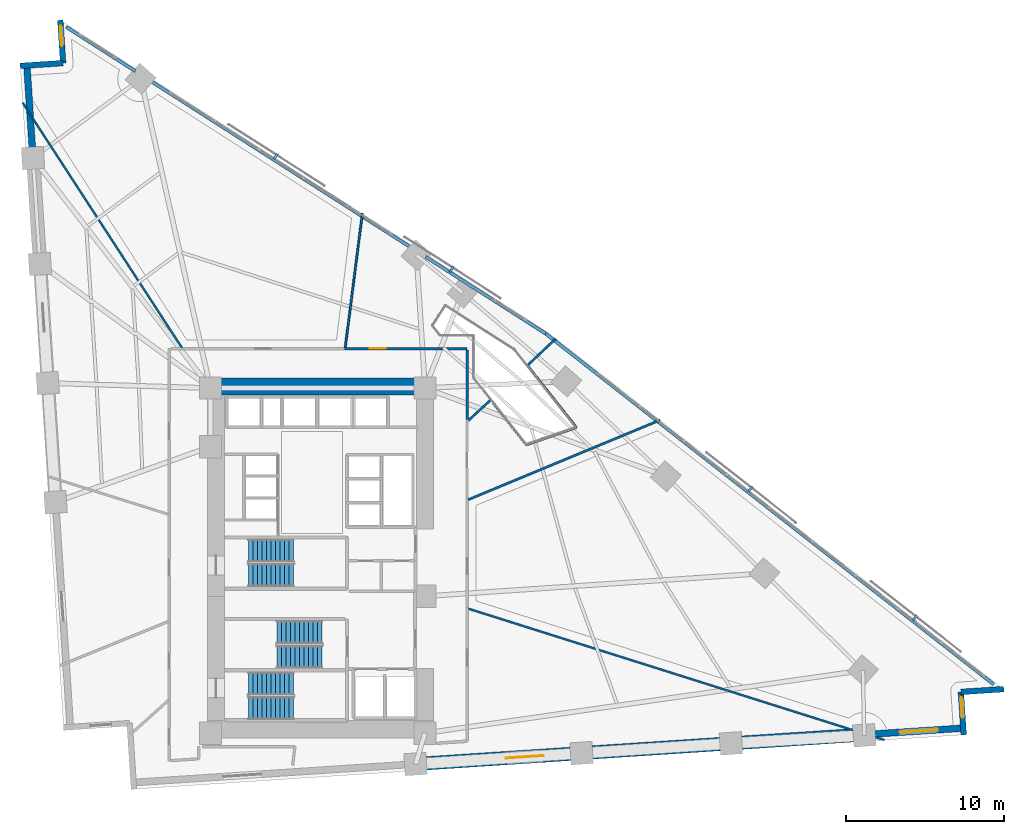
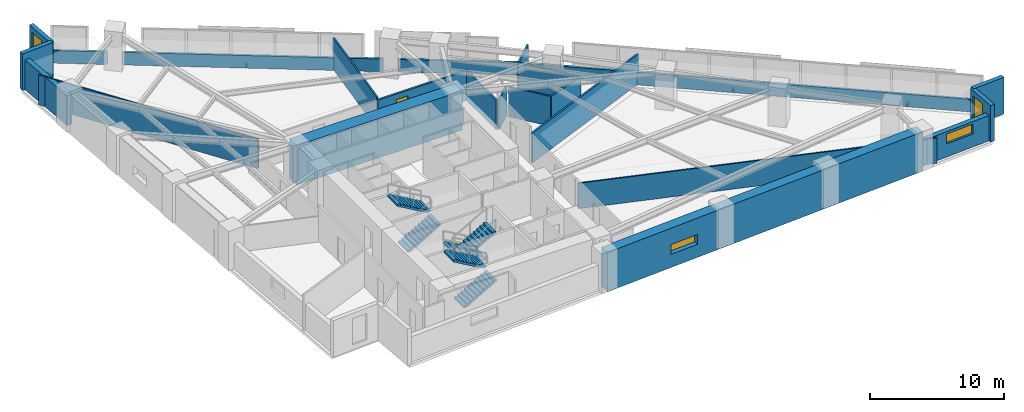
# One storey, part 14 of 16: 23 walls, 6 stair flights, 4 discrete accessories, 4 windows, 1 door, 5 openings, 3 elements without a shape of their own.
"""IFC4 building model written with IfcOpenShell, lengths in metres."""

from ifc_helpers import new_model, si_unit, direction, frame, frame_2d, origin, origin_2d, place, context, subcontext, project, spatial, polyline, rectangle, outline, extrude, material, layer, layer_set, type_object, element, fill, aggregate, save


model = new_model("IFC4")

# Units and contexts
model_context = context("Model", 3, precision=1e-05, world=origin(), true_north=direction((0.0, 1.0)))
body_context = subcontext(model_context, "Body", "Model", "MODEL_VIEW")
ifc_project = project(units=[si_unit("LENGTHUNIT", "METRE"), si_unit("AREAUNIT", "SQUARE_METRE"), si_unit("VOLUMEUNIT", "CUBIC_METRE"), si_unit("PLANEANGLEUNIT", "RADIAN"), si_unit("MASSUNIT", "GRAM", prefix="KILO")], contexts=[model_context])

# Site, building, storey
site_placement = place(None, origin())
site = spatial("IfcSite", under=ifc_project, at=site_placement, CompositionType="ELEMENT")
building_placement = place(site_placement, origin())
building = spatial("IfcBuilding", under=site, at=building_placement, Name="Narakoshi Arena Tower", CompositionType="ELEMENT")
storey_placement = place(building_placement, frame((0.0, 0.0, 77.699951171875)))
storey = spatial("IfcBuildingStorey", under=building, at=storey_placement, Name="L20", CompositionType="ELEMENT", Elevation=77.699951171875)

# Wall
ifc_material_1 = material(Name="Concrete C60/75", Category="concrete")
ifc_layer_1 = layer(ifc_material_1, 1.10009765625)
ifc_layer_set_1 = layer_set([ifc_layer_1], Name="Concrete C60/75")
wall_type_1 = type_object("IfcWallType", Name="WL-CORE-1100", PredefinedType="SHEAR", material=ifc_layer_set_1)
wall_1_placement = place(storey_placement, frame((71.800048828125, 56.60009765625, -0.260009765625), z_axis=(0.0, 0.0, 1.0), x_axis=(1.0, 0.0, 0.0)))
element("IfcWall", 1, at=wall_1_placement, inside=storey, type_object=wall_type_1, Name="L20 Main Core Shear Wall CW-MN-N", PredefinedType="SHEAR", context=body_context, shape_type="SweptSolid", body=[
    extrude(rectangle(XDim=14.300048828125, YDim=1.10009765625, at=frame_2d((7.14990234375, 0.0))), origin(), (0.0, 0.0, 1.0), 3.60009765625),
])

# Wall, opening, door
ifc_material_2 = material(Name="Gypsum plasterboard fire-rated partition")
ifc_layer_2 = layer(ifc_material_2, 0.1650390625)
ifc_layer_set_2 = layer_set([ifc_layer_2], Name="Gypsum plasterboard fire-rated partition")
wall_type_2 = type_object("IfcWallType", Name="WL-CORR-165", PredefinedType="PARTITIONING", material=ifc_layer_set_2)
wall_2_placement = place(storey_placement, frame((88.20947265625, 58.99755859375, 0.0), z_axis=(0.0, 0.0, 1.0), x_axis=(-1.0, 0.0, 0.0)))
wall_2 = element("IfcWall", 2, at=wall_2_placement, inside=storey, type_object=wall_type_2, Name="L20 Corridor Partition 07-1", PredefinedType="PARTITIONING", context=body_context, shape_type="SweptSolid", body=[
    extrude(rectangle(XDim=7.740478515625, YDim=0.1650390625, at=frame_2d((3.8701171875, 0.0))), origin(), (0.0, 0.0, 1.0), 2.72509765625),
])
opening_1_placement = place(wall_2_placement, frame((5.1455078125, 0.0, 0.0)))
opening_1 = element("IfcOpeningElement", 3, at=opening_1_placement, cuts=wall_2, Name="Opening D-06", PredefinedType="OPENING", context=body_context, shape_type="SweptSolid", body=[
    extrude(rectangle(XDim=1.0, YDim=2.199951171875, at=frame_2d((0.5, 1.10009765625))), frame((0.0, 0.092529296875, 0.0), z_axis=(0.0, -1.0, 0.0), x_axis=(1.0, 0.0, 0.0)), (0.0, 0.0, 1.0), 0.18505859375),
])
ifc_material_3 = material(Name="Stained oak solid-core timber", Category="wood")
door_type = type_object("IfcDoorType", Name="DR-OFF-1000", OperationType="NOTDEFINED", PredefinedType="DOOR", material=ifc_material_3)
door_placement = place(opening_1_placement, frame((1.0, 0.0, 0.0), z_axis=(0.0, 0.0, 1.0), x_axis=(-1.0, 0.0, 0.0)))
door = element("IfcDoor", 4, at=door_placement, inside=storey, type_object=door_type, Name="DR-L20-020", OperationType="SINGLE_SWING_RIGHT", OverallHeight=2.199951171875, OverallWidth=1.0, PredefinedType="DOOR", context=body_context, shape_type="SweptSolid", body=[
    extrude(rectangle(XDim=1.0, YDim=2.199951171875, at=frame_2d((0.5, 1.10009765625))), frame((0.0, 0.02490234375, 0.0), z_axis=(0.0, -1.0, 0.0), x_axis=(1.0, 0.0, 0.0)), (0.0, 0.0, 1.0), 0.050048828125),
])
fill(opening_1, door)

# Wall
wall_3_placement = place(storey_placement, frame((88.20947265625, 54.52001953125, 0.0), z_axis=(0.0, 0.0, 1.0), x_axis=(0.0, 1.0, 0.0)))
element("IfcWall", 5, at=wall_3_placement, inside=storey, type_object=wall_type_2, Name="L20 Corridor Partition 07-2", PredefinedType="PARTITIONING", context=body_context, shape_type="SweptSolid", body=[
    extrude(rectangle(XDim=4.383056640625, YDim=0.1650390625, at=frame_2d((2.19140625, 0.0))), origin(), (0.0, 0.0, 1.0), 2.72509765625),
])

# Wall, opening, window
ifc_layer_3 = layer(ifc_material_1, 0.85009765625)
ifc_layer_set_3 = layer_set([ifc_layer_3], Name="Concrete C60/75")
wall_type_3 = type_object("IfcWallType", Name="WL-LEG-850", PredefinedType="SHEAR", material=ifc_layer_set_3)
wall_4_placement = place(storey_placement, frame((84.95703125, 32.7509765625, -0.260009765625), z_axis=(0.0, 0.0, 1.0), x_axis=(0.997859046449, 0.065401249368, 0.0)))
wall_4 = element("IfcWall", 6, at=wall_4_placement, inside=storey, type_object=wall_type_3, Name="L20 Architectural Concrete Structural Wall LEGA-2", PredefinedType="SHEAR", context=body_context, shape_type="SweptSolid", body=[
    extrude(rectangle(XDim=28.400390625, YDim=0.85009765625, at=frame_2d((14.2001953125, 0.0))), origin(), (0.0, 0.0, 1.0), 3.60009765625),
])
opening_2_placement = place(wall_4_placement, frame((5.699951171875, 0.0, 1.199951171875)))
opening_2 = element("IfcOpeningElement", 7, at=opening_2_placement, cuts=wall_4, Name="Opening WN-01", PredefinedType="OPENING", context=body_context, shape_type="SweptSolid", body=[
    extrude(rectangle(XDim=2.39990234375, YDim=0.89990234375, at=frame_2d((1.199951171875, 0.449951171875))), frame((0.0, 0.43505859375, 0.0), z_axis=(0.0, -1.0, 0.0), x_axis=(1.0, 0.0, 0.0)), (0.0, 0.0, 1.0), 0.8701171875),
])
ifc_material_4 = material(Name="Bronze-tinted low-E laminated glass", Category="glass")
window_type_1 = type_object("IfcWindowType", Name="WIN-SLT-24x09", PartitioningType="SINGLE_PANEL", PredefinedType="WINDOW", material=ifc_material_4)
window_1_placement = place(opening_2_placement, origin())
window_1 = element("IfcWindow", 8, at=window_1_placement, inside=storey, type_object=window_type_1, Name="L20 LEGA2 Horizontal Slot Window 1", OverallHeight=0.89990234375, OverallWidth=2.39990234375, PartitioningType="SINGLE_PANEL", PredefinedType="WINDOW", context=body_context, shape_type="SweptSolid", body=[
    extrude(rectangle(XDim=2.39990234375, YDim=0.89990234375, at=frame_2d((1.199951171875, 0.449951171875))), frame((0.0, 0.030029296875, 0.0), z_axis=(0.0, -1.0, 0.0), x_axis=(1.0, 0.0, 0.0)), (0.0, 0.0, 1.0), 0.06005859375),
])
fill(opening_2, window_1)

# Walls
ifc_material_5 = material(Name="Precast concrete C45/55", Category="concrete")
ifc_layer_4 = layer(ifc_material_5, 0.25)
ifc_layer_set_4 = layer_set([ifc_layer_4], Name="Precast concrete C45/55")
wall_type_4 = type_object("IfcWallType", Name="WL-PARA-250", PredefinedType="PARAPET", material=ifc_layer_set_4)
wall_5_placement = place(storey_placement, frame((121.47607421875, 37.781494140625, 0.0), z_axis=(0.0, 0.0, 1.0), x_axis=(-0.787385636484, 0.61646075257, 0.0)))
element("IfcWall", 9, at=wall_5_placement, inside=storey, type_object=wall_type_4, Name="L20 Hypotenuse Sill Upstand Parapet 1-01", PredefinedType="PARAPET", context=body_context, shape_type="SweptSolid", body=[
    extrude(rectangle(XDim=35.957275390625, YDim=0.199951171875, at=frame_2d((17.978515625, 0.0))), origin(), (0.0, 0.0, 1.0), 1.150146484375),
])
wall_6_placement = place(storey_placement, frame((93.176025390625, 59.93896484375, 0.0), z_axis=(0.0, 0.0, 1.0), x_axis=(-0.842413081081, 0.538832256666, 0.0)))
element("IfcWall", 10, at=wall_6_placement, inside=storey, type_object=wall_type_4, Name="L20 Hypotenuse Sill Upstand Parapet 2-01", PredefinedType="PARAPET", context=body_context, shape_type="SweptSolid", body=[
    extrude(rectangle(XDim=9.010986328125, YDim=0.199951171875, at=frame_2d((4.50537109375, 0.0))), origin(), (0.0, 0.0, 1.0), 1.150146484375),
])
wall_7_placement = place(storey_placement, frame((84.681640625, 65.372314453125, 0.0), z_axis=(0.0, 0.0, 1.0), x_axis=(-0.842418773655, 0.538823356763, 0.0)))
element("IfcWall", 11, at=wall_7_placement, inside=storey, type_object=wall_type_4, Name="L20 Hypotenuse Sill Upstand Parapet 2-02", PredefinedType="PARAPET", context=body_context, shape_type="SweptSolid", body=[
    extrude(rectangle(XDim=19.612060546875, YDim=0.199951171875, at=frame_2d((9.80615234375, 0.0))), origin(), (0.0, 0.0, 1.0), 1.150146484375),
])
wall_8_placement = place(storey_placement, frame((67.2568359375, 76.517578125, 0.0), z_axis=(0.0, 0.0, 1.0), x_axis=(-0.842403631411, 0.538847030042, 0.0)))
element("IfcWall", 12, at=wall_8_placement, inside=storey, type_object=wall_type_4, Name="L20 Hypotenuse Sill Upstand Parapet 2-03", PredefinedType="PARAPET", context=body_context, shape_type="SweptSolid", body=[
    extrude(rectangle(XDim=5.1962890625, YDim=0.199951171875, at=frame_2d((2.59814453125, 0.0))), origin(), (0.0, 0.0, 1.0), 1.150146484375),
])
ifc_layer_5 = layer(ifc_material_2, 0.125)
ifc_layer_set_5 = layer_set([ifc_layer_5], Name="Gypsum plasterboard fire-rated partition")
wall_type_5 = type_object("IfcWallType", Name="WL-PART-125", PredefinedType="PARTITIONING", material=ifc_layer_set_5)
wall_9_placement = place(storey_placement, frame((88.303955078125, 42.56201171875, 0.0), z_axis=(0.0, 0.0, 1.0), x_axis=(0.95356055884, -0.301201362254, 0.0)))
element("IfcWall", 13, at=wall_9_placement, inside=storey, type_object=wall_type_5, Name="L20 Inter-Room Partition 04-05", PredefinedType="PARTITIONING", context=body_context, shape_type="SweptSolid", body=[
    extrude(rectangle(XDim=27.54345703125, YDim=0.125, at=frame_2d((13.771728515625, 0.0))), origin(), (0.0, 0.0, 1.0), 2.324951171875),
])
wall_10_placement = place(storey_placement, frame((80.517333984375, 59.092041015625, 0.0), z_axis=(0.0, 0.0, 1.0), x_axis=(0.126709943005, 0.991939811855, 0.0)))
element("IfcWall", 14, at=wall_10_placement, inside=storey, type_object=wall_type_5, Name="L20 Inter-Room Partition 07-08", PredefinedType="PARTITIONING", context=body_context, shape_type="SweptSolid", body=[
    extrude(rectangle(XDim=8.512451171875, YDim=0.125, at=frame_2d((4.25634765625, 0.0))), origin(), (0.0, 0.0, 1.0), 2.875),
])
wall_11_placement = place(storey_placement, frame((70.19677734375, 59.0458984375, 0.0), z_axis=(0.0, 0.0, 1.0), x_axis=(-0.54511427763, 0.838361750275, 0.0)))
element("IfcWall", 15, at=wall_11_placement, inside=storey, type_object=wall_type_5, Name="L20 Inter-Room Partition 08-09", PredefinedType="PARTITIONING", context=body_context, shape_type="SweptSolid", body=[
    extrude(rectangle(XDim=18.466552734375, YDim=0.125, at=frame_2d((9.2333984375, 0.0))), origin(), (0.0, 0.0, 1.0), 2.72509765625),
])

# Wall, opening, window
ifc_layer_6 = layer(ifc_material_5, 0.419921875)
ifc_layer_set_6 = layer_set([ifc_layer_6], Name="Precast concrete C45/55")
wall_type_6 = type_object("IfcWallType", Name="WL-POD-420", PredefinedType="SOLIDWALL", material=ifc_layer_set_6)
wall_12_placement = place(storey_placement, frame((113.296630859375, 34.6083984375, 0.0), z_axis=(0.0, 0.0, 1.0), x_axis=(0.997857907016, 0.065418631945, 0.0)))
wall_12 = element("IfcWall", 16, at=wall_12_placement, inside=storey, type_object=wall_type_6, Name="L20 Architectural Concrete Facade Wall LEGA-3", PredefinedType="SOLIDWALL", context=body_context, shape_type="SweptSolid", body=[
    extrude(rectangle(XDim=6.2734375, YDim=0.419921875, at=frame_2d((3.13671875, 0.0))), origin(), (0.0, 0.0, 1.0), 2.324951171875),
])
opening_3_placement = place(wall_12_placement, frame((2.25341796875, 0.0, 1.199951171875)))
opening_3 = element("IfcOpeningElement", 17, at=opening_3_placement, cuts=wall_12, Name="Opening WN-01", PredefinedType="OPENING", context=body_context, shape_type="SweptSolid", body=[
    extrude(rectangle(XDim=2.39990234375, YDim=0.89990234375, at=frame_2d((1.199951171875, 0.449951171875))), frame((0.0, 0.219970703125, 0.0), z_axis=(0.0, -1.0, 0.0), x_axis=(1.0, 0.0, 0.0)), (0.0, 0.0, 1.0), 0.43994140625),
])
window_2_placement = place(opening_3_placement, origin())
window_2 = element("IfcWindow", 18, at=window_2_placement, inside=storey, type_object=window_type_1, Name="L20 LEGA3 Horizontal Slot Window 1", OverallHeight=0.89990234375, OverallWidth=2.39990234375, PartitioningType="SINGLE_PANEL", PredefinedType="WINDOW", context=body_context, shape_type="SweptSolid", body=[
    extrude(rectangle(XDim=2.39990234375, YDim=0.89990234375, at=frame_2d((1.199951171875, 0.449951171875))), frame((0.0, 0.030029296875, 0.0), z_axis=(0.0, -1.0, 0.0), x_axis=(1.0, 0.0, 0.0)), (0.0, 0.0, 1.0), 0.06005859375),
])
fill(opening_3, window_2)

# Wall
wall_13_placement = place(storey_placement, frame((60.40185546875, 76.8828125, 0.0), z_axis=(0.0, 0.0, 1.0), x_axis=(0.065402662459, -0.997858953832, 0.0)))
element("IfcWall", 19, at=wall_13_placement, inside=storey, type_object=wall_type_6, Name="L20 Architectural Concrete Facade Wall LEGB-1", PredefinedType="SOLIDWALL", context=body_context, shape_type="SweptSolid", body=[
    extrude(rectangle(XDim=5.8642578125, YDim=0.419921875, at=frame_2d((2.93212890625, 0.0))), origin(), (0.0, 0.0, 1.0), 2.72509765625),
])

# Wall, opening, window
wall_14_placement = place(storey_placement, frame((119.58447265625, 34.594482421875, 0.0), z_axis=(0.0, 0.0, 1.0), x_axis=(-0.065427374496, 0.997857333824, 0.0)))
wall_14 = element("IfcWall", 20, at=wall_14_placement, inside=storey, type_object=wall_type_6, Name="L20 Re-Entrant Corner Notch Wall NTE-1", PredefinedType="SOLIDWALL", context=body_context, shape_type="SweptSolid", body=[
    extrude(rectangle(XDim=2.716552734375, YDim=0.360107421875, at=frame_2d((1.3583984375, 0.0))), origin(), (0.0, 0.0, 1.0), 3.340087890625),
])
opening_4_placement = place(wall_14_placement, frame((1.076416015625, 0.0, 0.449951171875)))
opening_4 = element("IfcOpeningElement", 21, at=opening_4_placement, cuts=wall_14, Name="Opening WN-06", PredefinedType="OPENING", context=body_context, shape_type="SweptSolid", body=[
    extrude(rectangle(XDim=1.300048828125, YDim=2.39990234375, at=frame_2d((0.64990234375, 1.199951171875))), frame((0.0, 0.18994140625, 0.0), z_axis=(0.0, -1.0, 0.0), x_axis=(1.0, 0.0, 0.0)), (0.0, 0.0, 1.0), 0.380126953125),
])
window_type_2 = type_object("IfcWindowType", Name="WIN-NTC-16x24", PartitioningType="SINGLE_PANEL", PredefinedType="WINDOW", material=ifc_material_4)
window_3_placement = place(opening_4_placement, origin())
window_3 = element("IfcWindow", 22, at=window_3_placement, inside=storey, type_object=window_type_2, Name="L20 Corner Notch Window NTE", OverallHeight=2.39990234375, OverallWidth=1.300048828125, PartitioningType="SINGLE_PANEL", PredefinedType="WINDOW", context=body_context, shape_type="SweptSolid", body=[
    extrude(rectangle(XDim=1.300048828125, YDim=2.39990234375, at=frame_2d((0.64990234375, 1.199951171875))), frame((0.0, 0.030029296875, 0.0), z_axis=(0.0, -1.0, 0.0), x_axis=(1.0, 0.0, 0.0)), (0.0, 0.0, 1.0), 0.06005859375),
])
fill(opening_4, window_3)

# Wall
wall_15_placement = place(storey_placement, frame((119.40673828125, 37.30517578125, 0.0), z_axis=(0.0, 0.0, 1.0), x_axis=(0.99785694905, 0.065433242561, 0.0)))
element("IfcWall", 23, at=wall_15_placement, inside=storey, type_object=wall_type_6, Name="L20 Re-Entrant Corner Notch Wall NTE-2", PredefinedType="SOLIDWALL", context=body_context, shape_type="SweptSolid", body=[
    extrude(rectangle(XDim=2.71630859375, YDim=0.360107421875, at=frame_2d((1.358154296875, 0.0))), origin(), (0.0, 0.0, 1.0), 3.340087890625),
])

# Wall, opening, window
wall_16_placement = place(storey_placement, frame((62.5107421875, 79.743408203125, 0.0), z_axis=(0.0, 0.0, 1.0), x_axis=(0.065337885661, -0.997863197386, 0.0)))
wall_16 = element("IfcWall", 24, at=wall_16_placement, inside=storey, type_object=wall_type_6, Name="L20 Re-Entrant Corner Notch Wall NTN-1", PredefinedType="SOLIDWALL", context=body_context, shape_type="SweptSolid", body=[
    extrude(rectangle(XDim=2.716552734375, YDim=0.360107421875, at=frame_2d((1.3583984375, 0.0))), origin(), (0.0, 0.0, 1.0), 3.340087890625),
])
opening_5_placement = place(wall_16_placement, frame((0.340087890625, 0.0, 0.449951171875)))
opening_5 = element("IfcOpeningElement", 25, at=opening_5_placement, cuts=wall_16, Name="Opening WN-06", PredefinedType="OPENING", context=body_context, shape_type="SweptSolid", body=[
    extrude(rectangle(XDim=1.300048828125, YDim=2.39990234375, at=frame_2d((0.64990234375, 1.199951171875))), frame((0.0, 0.18994140625, 0.0), z_axis=(0.0, -1.0, 0.0), x_axis=(1.0, 0.0, 0.0)), (0.0, 0.0, 1.0), 0.380126953125),
])
window_4_placement = place(opening_5_placement, origin())
window_4 = element("IfcWindow", 26, at=window_4_placement, inside=storey, type_object=window_type_2, Name="L20 Corner Notch Window NTN", OverallHeight=2.39990234375, OverallWidth=1.300048828125, PartitioningType="SINGLE_PANEL", PredefinedType="WINDOW", context=body_context, shape_type="SweptSolid", body=[
    extrude(rectangle(XDim=1.300048828125, YDim=2.39990234375, at=frame_2d((0.64990234375, 1.199951171875))), frame((0.0, 0.030029296875, 0.0), z_axis=(0.0, -1.0, 0.0), x_axis=(1.0, 0.0, 0.0)), (0.0, 0.0, 1.0), 0.06005859375),
])
fill(opening_5, window_4)

# Walls
wall_17_placement = place(storey_placement, frame((62.688232421875, 77.03271484375, 0.0), z_axis=(0.0, 0.0, 1.0), x_axis=(-0.99785694905, -0.065433242561, 0.0)))
element("IfcWall", 27, at=wall_17_placement, inside=storey, type_object=wall_type_6, Name="L20 Re-Entrant Corner Notch Wall NTN-2", PredefinedType="SOLIDWALL", context=body_context, shape_type="SweptSolid", body=[
    extrude(rectangle(XDim=2.71630859375, YDim=0.360107421875, at=frame_2d((1.358154296875, 0.0))), origin(), (0.0, 0.0, 1.0), 3.340087890625),
])
ifc_material_6 = material(Name="Moisture-resistant cement-board partition")
ifc_layer_7 = layer(ifc_material_6, 0.14501953125)
ifc_layer_set_7 = layer_set([ifc_layer_7], Name="Moisture-resistant cement-board partition")
wall_type_7 = type_object("IfcWallType", Name="WL-WET-145", PredefinedType="PARTITIONING", material=ifc_layer_set_7)
wall_18_placement = place(storey_placement, frame((88.29150390625, 49.455810546875, 0.0), z_axis=(0.0, 0.0, 1.0), x_axis=(0.923643766816, 0.383252125919, 0.0)))
element("IfcWall", 28, at=wall_18_placement, inside=storey, type_object=wall_type_7, Name="L20 Inter-Room Partition 05-06", PredefinedType="PARTITIONING", context=body_context, shape_type="SweptSolid", body=[
    extrude(rectangle(XDim=13.114501953125, YDim=0.14501953125, at=frame_2d((6.55712890625, 0.0))), origin(), (0.0, 0.0, 1.0), 2.72509765625),
])
wall_19_placement = place(storey_placement, frame((92.0244140625, 57.931396484375, 0.0), z_axis=(0.0, 0.0, 1.0), x_axis=(0.726064035779, 0.687627090761, 0.0)))
element("IfcWall", 29, at=wall_19_placement, inside=storey, type_object=wall_type_7, Name="L20 Inter-Room Partition 06-07", PredefinedType="PARTITIONING", context=body_context, shape_type="SweptSolid", body=[
    extrude(rectangle(XDim=2.47705078125, YDim=0.14501953125, at=frame_2d((1.238525390625, 0.0))), origin(), (0.0, 0.0, 1.0), 2.72509765625),
])
wall_20_placement = place(storey_placement, frame((88.283447265625, 54.4453125, 0.0), z_axis=(0.0, 0.0, 1.0), x_axis=(0.735007186596, 0.678059315733, 0.0)))
element("IfcWall", 30, at=wall_20_placement, inside=storey, type_object=wall_type_7, Name="L20 Inter-Room Partition 06-07", PredefinedType="PARTITIONING", context=body_context, shape_type="SweptSolid", body=[
    extrude(rectangle(XDim=1.92919921875, YDim=0.14501953125, at=frame_2d((0.964599609375, 0.0))), origin(), (0.0, 0.0, 1.0), 2.72509765625),
])
wall_21_placement = place(storey_placement, frame((89.84619140625, 55.570556640625, 0.0), z_axis=(0.0, 0.0, 1.0), x_axis=(0.620409682539, -0.784277900882, 0.0)))
element("IfcWall", 31, at=wall_21_placement, inside=storey, type_object=wall_type_7, Name="L20 Room Enclosure Partition 06-1", PredefinedType="PARTITIONING", context=body_context, shape_type="SweptSolid", body=[
    extrude(rectangle(XDim=3.390869140625, YDim=0.14501953125, at=frame_2d((1.6953125, 0.0))), origin(), (0.0, 0.0, 1.0), 2.72509765625),
])
wall_22_placement = place(storey_placement, frame((91.949951171875, 52.9111328125, 0.0), z_axis=(0.0, 0.0, 1.0), x_axis=(0.945018885272, 0.327015758762, 0.0)))
element("IfcWall", 32, at=wall_22_placement, inside=storey, type_object=wall_type_7, Name="L20 Room Enclosure Partition 06-2", PredefinedType="PARTITIONING", context=body_context, shape_type="SweptSolid", body=[
    extrude(rectangle(XDim=3.361083984375, YDim=0.14501953125, at=frame_2d((1.6806640625, 0.0))), origin(), (0.0, 0.0, 1.0), 2.72509765625),
])
wall_23_placement = place(storey_placement, frame((95.126220703125, 54.01025390625, 0.0), z_axis=(0.0, 0.0, 1.0), x_axis=(-0.620403969288, 0.784282420364, 0.0)))
element("IfcWall", 33, at=wall_23_placement, inside=storey, type_object=wall_type_7, Name="L20 Room Enclosure Partition 06-3", PredefinedType="PARTITIONING", context=body_context, shape_type="SweptSolid", body=[
    extrude(rectangle(XDim=4.999755859375, YDim=0.14501953125, at=frame_2d((2.5, 0.0))), origin(), (0.0, 0.0, 1.0), 2.72509765625),
])

# Stair, stair flights
ifc_material_7 = material(Name="Concrete C45/55", Category="concrete")
stair_type = type_object("IfcStairType", Name="STR-CORE-360", PredefinedType="TWO_STRAIGHT_RUN_STAIR", material=ifc_material_7)
stair_1_placement = place(storey_placement, origin())
stair_1 = element("IfcStair", 34, at=stair_1_placement, inside=storey, type_object=stair_type, Name="L20 Core Escape Stair ST1", PredefinedType="TWO_STRAIGHT_RUN_STAIR")
stair_flight_type = type_object("IfcStairFlightType", Name="FLT-145-160", PredefinedType="STRAIGHT", material=ifc_material_5)
stair_flight_1_placement = place(storey_placement, frame((74.39990234375, 36.27490234375, 0.0), z_axis=(0.0, 0.0, 1.0), x_axis=(1.0, 0.0, 0.0)))
stair_flight_1 = element("IfcStairFlight", 35, at=stair_flight_1_placement, type_object=stair_flight_type, Name="ST1 flight 1", NumberOfRisers=11, NumberOfTreads=10, PredefinedType="STRAIGHT", RiserHeight=0.163636364, TreadLength=0.285, context=body_context, shape_type="SweptSolid", body=[
    extrude(outline(polyline([(0.0, 0.0), (0.0, 0.16357421875), (0.284912109375, 0.16357421875), (0.284912109375, 0.327392578125), (0.570068359375, 0.327392578125), (0.570068359375, 0.490966796875), (0.85498046875, 0.490966796875), (0.85498046875, 0.654541015625), (1.139892578125, 0.654541015625), (1.139892578125, 0.818115234375), (1.425048828125, 0.818115234375), (1.425048828125, 0.98193359375), (1.7099609375, 0.98193359375), (1.7099609375, 1.1455078125), (1.9951171875, 1.1455078125), (1.9951171875, 1.30908203125), (2.280029296875, 1.30908203125), (2.280029296875, 1.47265625), (2.56494140625, 1.47265625), (2.56494140625, 1.636474609375), (2.85009765625, 1.636474609375), (2.85009765625, 1.800048828125), (2.85009765625, 1.463623046875), (0.301025390625, 0.0), (0.0, 0.0)])), frame((0.0, 0.72509765625, 0.0), z_axis=(0.0, -1.0, 0.0), x_axis=(1.0, 0.0, 0.0)), (0.0, 0.0, 1.0), 1.449951171875),
])
stair_flight_2_placement = place(storey_placement, frame((77.25, 37.824951171875, 1.800048828125), z_axis=(0.0, 0.0, 1.0), x_axis=(-1.0, 0.0, 0.0)))
stair_flight_2 = element("IfcStairFlight", 36, at=stair_flight_2_placement, type_object=stair_flight_type, Name="ST1 flight 2", NumberOfRisers=11, NumberOfTreads=10, PredefinedType="STRAIGHT", RiserHeight=0.163636364, TreadLength=0.285, context=body_context, shape_type="SweptSolid", body=[
    extrude(outline(polyline([(0.0, 0.0), (0.0, 0.16357421875), (0.284912109375, 0.16357421875), (0.284912109375, 0.327392578125), (0.570068359375, 0.327392578125), (0.570068359375, 0.490966796875), (0.85498046875, 0.490966796875), (0.85498046875, 0.654541015625), (1.139892578125, 0.654541015625), (1.139892578125, 0.818115234375), (1.425048828125, 0.818115234375), (1.425048828125, 0.98193359375), (1.7099609375, 0.98193359375), (1.7099609375, 1.1455078125), (1.9951171875, 1.1455078125), (1.9951171875, 1.30908203125), (2.280029296875, 1.30908203125), (2.280029296875, 1.47265625), (2.56494140625, 1.47265625), (2.56494140625, 1.636474609375), (2.85009765625, 1.636474609375), (2.85009765625, 1.800048828125), (2.85009765625, 1.463623046875), (0.301025390625, 0.0), (0.0, 0.0)])), frame((0.0, 0.72509765625, 0.0), z_axis=(0.0, -1.0, 0.0), x_axis=(1.0, 0.0, 0.0)), (0.0, 0.0, 1.0), 1.449951171875),
])
aggregate(stair_1, [stair_flight_1, stair_flight_2])

stair_2_placement = place(storey_placement, origin())
stair_2 = element("IfcStair", 37, at=stair_2_placement, inside=storey, type_object=stair_type, Name="L20 Core Escape Stair ST2", PredefinedType="TWO_STRAIGHT_RUN_STAIR")
stair_flight_3_placement = place(storey_placement, frame((79.050048828125, 41.074951171875, 0.0), z_axis=(0.0, 0.0, 1.0), x_axis=(-1.0, 0.0, 0.0)))
stair_flight_3 = element("IfcStairFlight", 38, at=stair_flight_3_placement, type_object=stair_flight_type, Name="ST2 flight 1", NumberOfRisers=11, NumberOfTreads=10, PredefinedType="STRAIGHT", RiserHeight=0.163636364, TreadLength=0.285, context=body_context, shape_type="SweptSolid", body=[
    extrude(outline(polyline([(0.0, 0.0), (0.0, 0.16357421875), (0.284912109375, 0.16357421875), (0.284912109375, 0.327392578125), (0.570068359375, 0.327392578125), (0.570068359375, 0.490966796875), (0.85498046875, 0.490966796875), (0.85498046875, 0.654541015625), (1.139892578125, 0.654541015625), (1.139892578125, 0.818115234375), (1.425048828125, 0.818115234375), (1.425048828125, 0.98193359375), (1.7099609375, 0.98193359375), (1.7099609375, 1.1455078125), (1.9951171875, 1.1455078125), (1.9951171875, 1.30908203125), (2.280029296875, 1.30908203125), (2.280029296875, 1.47265625), (2.56494140625, 1.47265625), (2.56494140625, 1.636474609375), (2.85009765625, 1.636474609375), (2.85009765625, 1.800048828125), (2.85009765625, 1.463623046875), (0.301025390625, 0.0), (0.0, 0.0)])), frame((0.0, 0.72509765625, 0.0), z_axis=(0.0, -1.0, 0.0), x_axis=(1.0, 0.0, 0.0)), (0.0, 0.0, 1.0), 1.449951171875),
])
stair_flight_4_placement = place(storey_placement, frame((76.199951171875, 39.52490234375, 1.800048828125), z_axis=(0.0, 0.0, 1.0), x_axis=(1.0, 0.0, 0.0)))
stair_flight_4 = element("IfcStairFlight", 39, at=stair_flight_4_placement, type_object=stair_flight_type, Name="ST2 flight 2", NumberOfRisers=11, NumberOfTreads=10, PredefinedType="STRAIGHT", RiserHeight=0.163636364, TreadLength=0.285, context=body_context, shape_type="SweptSolid", body=[
    extrude(outline(polyline([(0.0, 0.0), (0.0, 0.16357421875), (0.284912109375, 0.16357421875), (0.284912109375, 0.327392578125), (0.570068359375, 0.327392578125), (0.570068359375, 0.490966796875), (0.85498046875, 0.490966796875), (0.85498046875, 0.654541015625), (1.139892578125, 0.654541015625), (1.139892578125, 0.818115234375), (1.425048828125, 0.818115234375), (1.425048828125, 0.98193359375), (1.7099609375, 0.98193359375), (1.7099609375, 1.1455078125), (1.9951171875, 1.1455078125), (1.9951171875, 1.30908203125), (2.280029296875, 1.30908203125), (2.280029296875, 1.47265625), (2.56494140625, 1.47265625), (2.56494140625, 1.636474609375), (2.85009765625, 1.636474609375), (2.85009765625, 1.800048828125), (2.85009765625, 1.463623046875), (0.301025390625, 0.0), (0.0, 0.0)])), frame((0.0, 0.72509765625, 0.0), z_axis=(0.0, -1.0, 0.0), x_axis=(1.0, 0.0, 0.0)), (0.0, 0.0, 1.0), 1.449951171875),
])
aggregate(stair_2, [stair_flight_3, stair_flight_4])

stair_3_placement = place(storey_placement, origin())
stair_3 = element("IfcStair", 40, at=stair_3_placement, inside=storey, type_object=stair_type, Name="L20 Core Escape Stair ST3", PredefinedType="TWO_STRAIGHT_RUN_STAIR")
stair_flight_5_placement = place(storey_placement, frame((74.39990234375, 44.675048828125, 0.0), z_axis=(0.0, 0.0, 1.0), x_axis=(1.0, 0.0, 0.0)))
stair_flight_5 = element("IfcStairFlight", 41, at=stair_flight_5_placement, type_object=stair_flight_type, Name="ST3 flight 1", NumberOfRisers=11, NumberOfTreads=10, PredefinedType="STRAIGHT", RiserHeight=0.163636364, TreadLength=0.285, context=body_context, shape_type="SweptSolid", body=[
    extrude(outline(polyline([(0.0, 0.0), (0.0, 0.16357421875), (0.284912109375, 0.16357421875), (0.284912109375, 0.327392578125), (0.570068359375, 0.327392578125), (0.570068359375, 0.490966796875), (0.85498046875, 0.490966796875), (0.85498046875, 0.654541015625), (1.139892578125, 0.654541015625), (1.139892578125, 0.818115234375), (1.425048828125, 0.818115234375), (1.425048828125, 0.98193359375), (1.7099609375, 0.98193359375), (1.7099609375, 1.1455078125), (1.9951171875, 1.1455078125), (1.9951171875, 1.30908203125), (2.280029296875, 1.30908203125), (2.280029296875, 1.47265625), (2.56494140625, 1.47265625), (2.56494140625, 1.636474609375), (2.85009765625, 1.636474609375), (2.85009765625, 1.800048828125), (2.85009765625, 1.463623046875), (0.301025390625, 0.0), (0.0, 0.0)])), frame((0.0, 0.72509765625, 0.0), z_axis=(0.0, -1.0, 0.0), x_axis=(1.0, 0.0, 0.0)), (0.0, 0.0, 1.0), 1.449951171875),
])
stair_flight_6_placement = place(storey_placement, frame((77.25, 46.22509765625, 1.800048828125), z_axis=(0.0, 0.0, 1.0), x_axis=(-1.0, 0.0, 0.0)))
stair_flight_6 = element("IfcStairFlight", 42, at=stair_flight_6_placement, type_object=stair_flight_type, Name="ST3 flight 2", NumberOfRisers=11, NumberOfTreads=10, PredefinedType="STRAIGHT", RiserHeight=0.163636364, TreadLength=0.285, context=body_context, shape_type="SweptSolid", body=[
    extrude(outline(polyline([(0.0, 0.0), (0.0, 0.16357421875), (0.284912109375, 0.16357421875), (0.284912109375, 0.327392578125), (0.570068359375, 0.327392578125), (0.570068359375, 0.490966796875), (0.85498046875, 0.490966796875), (0.85498046875, 0.654541015625), (1.139892578125, 0.654541015625), (1.139892578125, 0.818115234375), (1.425048828125, 0.818115234375), (1.425048828125, 0.98193359375), (1.7099609375, 0.98193359375), (1.7099609375, 1.1455078125), (1.9951171875, 1.1455078125), (1.9951171875, 1.30908203125), (2.280029296875, 1.30908203125), (2.280029296875, 1.47265625), (2.56494140625, 1.47265625), (2.56494140625, 1.636474609375), (2.85009765625, 1.636474609375), (2.85009765625, 1.800048828125), (2.85009765625, 1.463623046875), (0.301025390625, 0.0), (0.0, 0.0)])), frame((0.0, 0.72509765625, 0.0), z_axis=(0.0, -1.0, 0.0), x_axis=(1.0, 0.0, 0.0)), (0.0, 0.0, 1.0), 1.449951171875),
])
aggregate(stair_3, [stair_flight_5, stair_flight_6])

# Discrete accessories
ifc_material_8 = material(Name="Structural steel S355J2", Category="steel")
discrete_accessory_type = type_object("IfcDiscreteAccessoryType", Name="ACC-BRK-SCR", PredefinedType="BRACKET", material=ifc_material_8)
for number, where, z_axis, x_axis, name in (
    (43, (116.497314453125, 41.984375, -0.080078125), (0.0, 0.0, 1.0), (-0.787387121413, 0.616458855912, 0.0), "L20 Solar Screen Support Bracket SHD-L20-SCR1-1"),
    (44, (106.103759765625, 50.12158203125, -0.080078125), (0.0, 0.0, 1.0), (-0.787387121413, 0.616458855912, 0.0), "L20 Solar Screen Support Bracket SHD-L20-SCR1-2"),
    (45, (87.239990234375, 64.020751953125, -0.080078125), (0.0, 0.0, 1.0), (-0.842414781658, 0.538829597966, 0.0), "L20 Solar Screen Support Bracket SHD-L20-SCR2-1"),
    (46, (76.1201171875, 71.13330078125, -0.080078125), (0.0, 0.0, 1.0), (-0.842414781658, 0.538829597966, 0.0), "L20 Solar Screen Support Bracket SHD-L20-SCR2-2"),
):
    element("IfcDiscreteAccessory", number, at=place(storey_placement, frame(where, z_axis=z_axis, x_axis=x_axis)), inside=storey, type_object=discrete_accessory_type, Name=name, PredefinedType="BRACKET", context=body_context, shape_type="SweptSolid", body=[
        extrude(rectangle(XDim=0.159912109375, YDim=0.425048828125, at=origin_2d()), origin(), (0.0, 0.0, 1.0), 0.199951171875),
    ])

save(model, "model.ifc")
